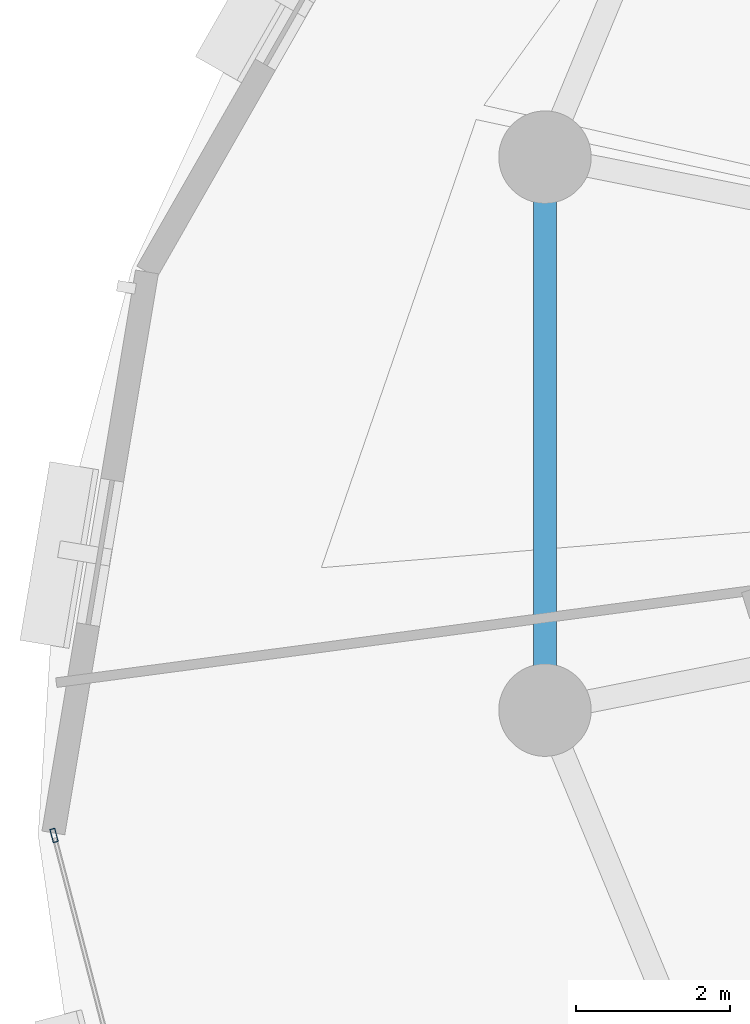
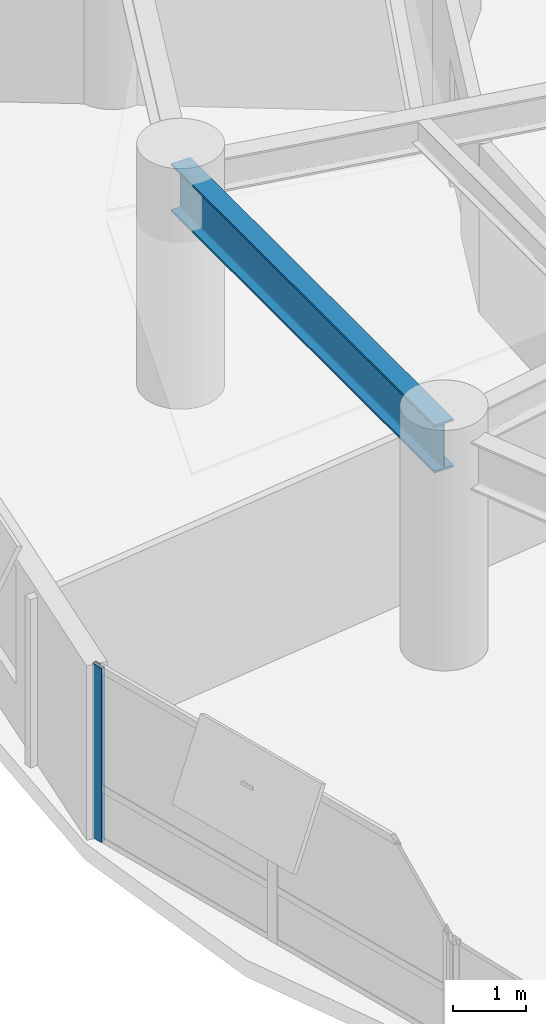
# One storey, part 4 of 14: 1 beam, 1 member, 1 element without a shape of its own.
"""IFC4 building model written with IfcOpenShell, lengths in metres."""

import ifcopenshell
import ifcopenshell.guid

model = None  # the IFC model being written
_history = None  # IfcOwnerHistory: only IFC2X3 demands one
_inside = {}  # id of a spatial element -> (the spatial element, [elements in it])
_under = {}  # id of a project, library or spatial element -> (it, [spatial elements below it])
_declared = {}  # id of a project -> (the project, [libraries it declares])
_typed = {}  # id of a type object -> (the type object, [elements of that type])
_made_of = {}  # id of a material, layer set ... -> (it, [elements and type objects made of it])


def new_model(schema):
    """Start an empty IFC model of exactly this schema.

    Asked for "IFC4X3", IfcOpenShell would pick the latest addendum, in which some entities
    have other attributes; the version numbers below select the first issue.
    IFC2X3 requires an IfcOwnerHistory on every rooted entity: one is made here for all.
    """
    global model, _history
    if schema == "IFC4X3":
        model = ifcopenshell.file(schema_version=(4, 3, 0, 0))
    else:
        model = ifcopenshell.file(schema=schema)
    _inside.clear()
    _under.clear()
    _declared.clear()
    _typed.clear()
    _made_of.clear()
    _history = None
    if model.schema == "IFC2X3":
        org = make("IfcOrganization", Name="unknown")
        user = make(
            "IfcPersonAndOrganization",
            ThePerson=make("IfcPerson", FamilyName="unknown"),
            TheOrganization=org,
        )
        app = make(
            "IfcApplication",
            ApplicationDeveloper=org,
            Version="unknown",
            ApplicationFullName="unknown",
            ApplicationIdentifier="unknown",
        )
        _history = make(
            "IfcOwnerHistory",
            OwningUser=user,
            OwningApplication=app,
            ChangeAction="ADDED",
            CreationDate=0,
        )
    return model


def make(cls, **values):
    """One entity of the class cls with the attributes given. An attribute that is None is left unset."""
    return model.create_entity(
        cls, **{name: value for name, value in values.items() if value is not None}
    )


def rooted(cls, **values):
    """An entity with a GlobalId (a new one), such as an element, a storey or a relation."""
    return make(cls, GlobalId=ifcopenshell.guid.new(), OwnerHistory=_history, **values)


def si_unit(unit_type, name, prefix=None):
    """IfcSIUnit, for example si_unit("LENGTHUNIT", "METRE", prefix="MILLI")."""
    return make("IfcSIUnit", UnitType=unit_type, Prefix=prefix, Name=name)


def assignment(units):
    """IfcUnitAssignment: the units of a project."""
    return None if units is None else make("IfcUnitAssignment", Units=units)


def point(xyz):
    """IfcCartesianPoint."""
    return None if xyz is None else make("IfcCartesianPoint", Coordinates=xyz)


def direction(xyz):
    """IfcDirection."""
    return None if xyz is None else make("IfcDirection", DirectionRatios=xyz)


def frame(location, z_axis=None, x_axis=None):
    """IfcAxis2Placement3D, a coordinate frame: its origin and axes. An axis left out is left unset."""
    return make(
        "IfcAxis2Placement3D",
        Location=point(location),
        Axis=direction(z_axis),
        RefDirection=direction(x_axis),
    )


def frame_2d(location, x_axis=None):
    """IfcAxis2Placement2D, a coordinate frame in the plane: its origin and x axis."""
    return make(
        "IfcAxis2Placement2D", Location=point(location), RefDirection=direction(x_axis)
    )


def origin():
    """The frame at (0, 0, 0) with its axes left unset."""
    return frame((0.0, 0.0, 0.0))


def origin_2d():
    """The frame at (0, 0) in the plane with its x axis left unset."""
    return frame_2d((0.0, 0.0))


def place(relative_to, where):
    """IfcLocalPlacement: puts the frame where relative to a parent placement (None: the world)."""
    return make(
        "IfcLocalPlacement", PlacementRelTo=relative_to, RelativePlacement=where
    )


def context(
    kind, dimensions, precision=None, world=None, true_north=None, identifier=None
):
    """IfcGeometricRepresentationContext, for example the 3D "Model" context."""
    return make(
        "IfcGeometricRepresentationContext",
        ContextIdentifier=identifier,
        ContextType=kind,
        CoordinateSpaceDimension=dimensions,
        Precision=precision,
        WorldCoordinateSystem=world,
        TrueNorth=true_north,
    )


def subcontext(parent, identifier, kind, view, scale=None):
    """IfcGeometricRepresentationSubContext, for example "Body" below "Model"."""
    return make(
        "IfcGeometricRepresentationSubContext",
        ContextIdentifier=identifier,
        ContextType=kind,
        ParentContext=parent,
        TargetScale=scale,
        TargetView=view,
    )


def project(units=None, contexts=None):
    """IfcProject with its units and contexts."""
    return rooted(
        "IfcProject",
        Name="project",
        RepresentationContexts=contexts,
        UnitsInContext=assignment(units),
    )


def spatial(cls, under=None, at=None, **own):
    """A site, building, storey or space (cls), placed at a placement, below another one or the project."""
    s = rooted(cls, ObjectPlacement=at, **own)
    if under is not None:
        _under.setdefault(under.id(), (under, []))[1].append(s)
    return s


def profile(cls, at=None, kind="AREA", **sizes):
    """A parametric profile (cls). Its sizes go by their IFC names, for example OverallWidth=200.0."""
    return make(cls, ProfileType=kind, Position=at, **sizes)


def hollow_rectangle(**sizes):
    """IfcRectangleHollowProfileDef."""
    return profile("IfcRectangleHollowProfileDef", **sizes)


def i_section(**sizes):
    """IfcIShapeProfileDef."""
    return profile("IfcIShapeProfileDef", **sizes)


def extrude(swept, where, along, depth):
    """IfcExtrudedAreaSolid: the profile swept, set in the frame where, extruded along a direction by depth."""
    return make(
        "IfcExtrudedAreaSolid",
        SweptArea=swept,
        Position=where,
        ExtrudedDirection=direction(along),
        Depth=depth,
    )


def shape(context_of_items, identifier, shape_type, items):
    """IfcShapeRepresentation: the items that make up one representation, for example the "Body"."""
    return make(
        "IfcShapeRepresentation",
        ContextOfItems=context_of_items,
        RepresentationIdentifier=identifier,
        RepresentationType=shape_type,
        Items=items,
    )


def material(Name=None, Category=None):
    """IfcMaterial."""
    return make("IfcMaterial", Name=Name, Category=Category)


def layer(
    of_material, thickness, ventilated=None, Name=None, Category=None, Priority=None
):
    """IfcMaterialLayer: one layer of a wall or slab, of a material (None: an air gap)."""
    return make(
        "IfcMaterialLayer",
        Material=of_material,
        LayerThickness=thickness,
        IsVentilated=ventilated,
        Name=Name,
        Category=Category,
        Priority=Priority,
    )


def layer_set(layers, Name=None):
    """IfcMaterialLayerSet."""
    return make("IfcMaterialLayerSet", MaterialLayers=layers, LayerSetName=Name)


def material_profile(
    of_material, cross_section, Name=None, Category=None, Priority=None
):
    """IfcMaterialProfile: a cross section and its material."""
    return make(
        "IfcMaterialProfile",
        Name=Name,
        Material=of_material,
        Profile=cross_section,
        Priority=Priority,
        Category=Category,
    )


def profile_set(profiles, Name=None, composite=None):
    """IfcMaterialProfileSet."""
    return make(
        "IfcMaterialProfileSet",
        Name=Name,
        MaterialProfiles=profiles,
        CompositeProfile=composite,
    )


def made_of(thing, what):
    """Note that an element or type object is made of a material, layer set ...; save() writes the relation."""
    if what is not None:
        _made_of.setdefault(what.id(), (what, []))[1].append(thing)
    return thing


def type_object(cls, material=None, **own):
    """A type object (cls), such as IfcWallType, which elements share."""
    return made_of(rooted(cls, **own), material)


def element(
    cls,
    number,
    at=None,
    inside=None,
    cuts=None,
    type_object=None,
    material=None,
    context=None,
    identifier="Body",
    shape_type=None,
    held_by="IfcProductDefinitionShape",
    body=None,
    shapes=None,
    **own,
):
    """One element of the class cls, such as IfcWall. Its Tag is "e" and its number.

    at: its placement. inside: the storey or other place that contains it. cuts: it is an
    opening in that element (IfcRelVoidsElement). A single representation is given by context,
    identifier, shape_type and body (its items); several are given by shapes. held_by: the class
    of the entity that holds the representations. save() writes the other relations.
    """
    e = rooted(cls, Tag="e%d" % number, ObjectPlacement=at, **own)
    if body is not None:
        shapes = [shape(context, identifier, shape_type, body)]
    if shapes is not None:
        e.Representation = make(held_by, Representations=shapes)
    if inside is not None:
        _inside.setdefault(inside.id(), (inside, []))[1].append(e)
    if cuts is not None:
        rooted(
            "IfcRelVoidsElement", RelatingBuildingElement=cuts, RelatedOpeningElement=e
        )
    if type_object is not None:
        _typed.setdefault(type_object.id(), (type_object, []))[1].append(e)
    return made_of(e, material)


def aggregate(whole, parts):
    """IfcRelAggregates: a whole, such as a stair, and the parts it consists of."""
    return rooted("IfcRelAggregates", RelatingObject=whole, RelatedObjects=parts)


def save(model, path):
    """Write the relations noted so far, then the file.

    IfcRelAggregates (storeys below a building ...), IfcRelContainedInSpatialStructure (elements
    in a storey), IfcRelDefinesByType, IfcRelAssociatesMaterial and IfcRelDeclares: one each for
    every whole, place, type object, material and project.
    """
    for whole, parts in _under.values():
        aggregate(whole, parts)
    for where, things in _inside.values():
        rooted(
            "IfcRelContainedInSpatialStructure",
            RelatedElements=things,
            RelatingStructure=where,
        )
    for kind, things in _typed.values():
        rooted("IfcRelDefinesByType", RelatedObjects=things, RelatingType=kind)
    for what, things in _made_of.values():
        rooted("IfcRelAssociatesMaterial", RelatedObjects=things, RelatingMaterial=what)
    for by, libraries in _declared.values():
        rooted("IfcRelDeclares", RelatingContext=by, RelatedDefinitions=libraries)
    model.write(path)


model = new_model("IFC4")

# Units and contexts
model_context = context("Model", 3, precision=1e-05, world=origin(), true_north=direction((0.0, 1.0)))
body_context = subcontext(model_context, "Body", "Model", "MODEL_VIEW")
ifc_project = project(units=[si_unit("LENGTHUNIT", "METRE"), si_unit("AREAUNIT", "SQUARE_METRE"), si_unit("VOLUMEUNIT", "CUBIC_METRE"), si_unit("PLANEANGLEUNIT", "RADIAN"), si_unit("MASSUNIT", "GRAM", prefix="KILO"), si_unit("THERMODYNAMICTEMPERATUREUNIT", "KELVIN"), si_unit("POWERUNIT", "WATT")], contexts=[model_context])

# Site, building, storey
site_placement = place(None, origin())
site = spatial("IfcSite", under=ifc_project, at=site_placement, CompositionType="ELEMENT")
building_placement = place(site_placement, origin())
building = spatial("IfcBuilding", under=site, at=building_placement, Name="Ocrelia Relay Tower", CompositionType="ELEMENT")
storey_placement = place(building_placement, frame((0.0, 0.0, 149.800048828125)))
storey = spatial("IfcBuildingStorey", under=building, at=storey_placement, Name="L35", CompositionType="ELEMENT", Elevation=149.800048828125)

# Beam
ifc_material_1 = material(Name="Steel S355", Category="steel")
ifc_material_profile_1 = material_profile(ifc_material_1, i_section(OverallWidth=0.300048828125, OverallDepth=0.800048828125, WebThickness=0.017578125, FlangeThickness=0.032958984375, FilletRadius=0.030029296875, at=origin_2d()), Name="HEB 800")
ifc_profile_set_1 = profile_set([ifc_material_profile_1], Name="Steel S355")
beam_type = type_object("IfcBeamType", Name="BM-HEB800", PredefinedType="BEAM", material=ifc_profile_set_1)
beam_placement = place(storey_placement, frame((15.95361328125, 29.589599609375, 3.320068359375), z_axis=(0.0, -1.0, 0.0), x_axis=(1.0, 0.0, 0.0)))
element("IfcBeam", 1, at=beam_placement, inside=storey, type_object=beam_type, Name="L35 Perimeter Spandrel Beam S08", PredefinedType="BEAM", context=body_context, shape_type="SweptSolid", body=[
    extrude(i_section(OverallWidth=0.300048828125, OverallDepth=0.800048828125, WebThickness=0.017578125, FlangeThickness=0.032958984375, FilletRadius=0.030029296875, at=origin_2d()), origin(), (0.0, 0.0, 1.0), 7.17919921875),
])

# Curtain wall, member
ifc_material_2 = material(Name="Aluminium and solar-control low-E glass", Category="aluminium")
ifc_layer = layer(ifc_material_2, 0.179931640625, Name="Aluminium and solar-control low-E glass")
ifc_layer_set = layer_set([ifc_layer], Name="Aluminium and solar-control low-E glass")
curtain_wall_type = type_object("IfcCurtainWallType", Name="CW-SYS-Z2-SWIT", PredefinedType="NOTDEFINED", material=ifc_layer_set)
curtain_wall_placement = place(storey_placement, origin())
curtain_wall = element("IfcCurtainWall", 2, at=curtain_wall_placement, inside=storey, type_object=curtain_wall_type, Name="L35 Elliptical Tower Curtain Wall Bay 09", PredefinedType="NOTDEFINED")
ifc_material_3 = material(Name="Anodised bronze aluminium", Category="aluminium")
ifc_material_profile_2 = material_profile(ifc_material_3, hollow_rectangle(XDim=0.070068359375, YDim=0.179931640625, WallThickness=0.006103515625, at=origin_2d()), Name="CW-MUL-180x70")
ifc_profile_set_2 = profile_set([ifc_material_profile_2], Name="Anodised bronze aluminium")
member_type = type_object("IfcMemberType", Name="CW-SYS-Z2-SWIT-MUL", PredefinedType="MULLION", material=ifc_profile_set_2)
member_placement = place(storey_placement, frame((9.579833984375, 20.783203125, 0.0), z_axis=(0.0, 0.0, 1.0), x_axis=(0.967796870511, 0.251732432216, 0.0)))
member = element("IfcMember", 3, at=member_placement, type_object=member_type, Name="CW-Z2 mullion 1", PredefinedType="MULLION", context=body_context, shape_type="SweptSolid", body=[
    extrude(hollow_rectangle(XDim=0.070068359375, YDim=0.179931640625, WallThickness=0.006103515625, at=origin_2d()), origin(), (0.0, 0.0, 1.0), 2.89990234375),
])
aggregate(curtain_wall, [member])

save(model, "model.ifc")
